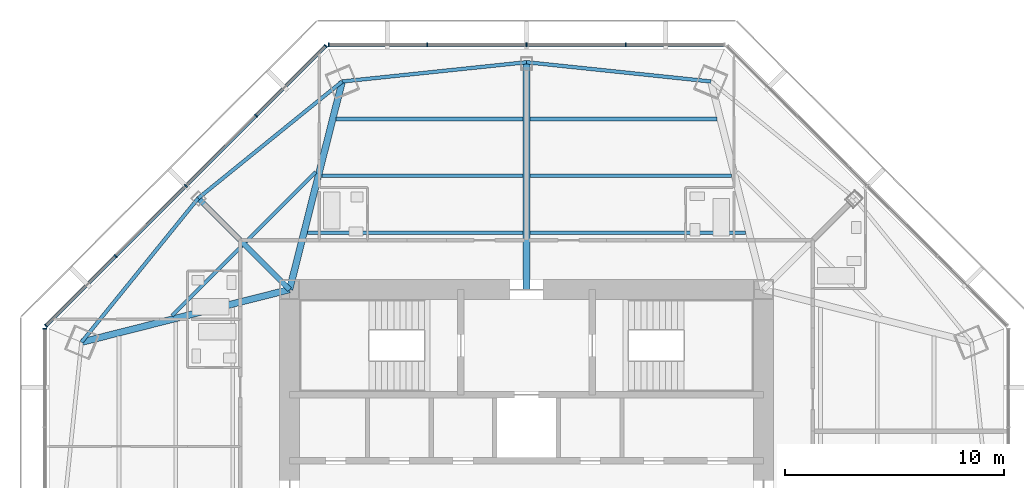
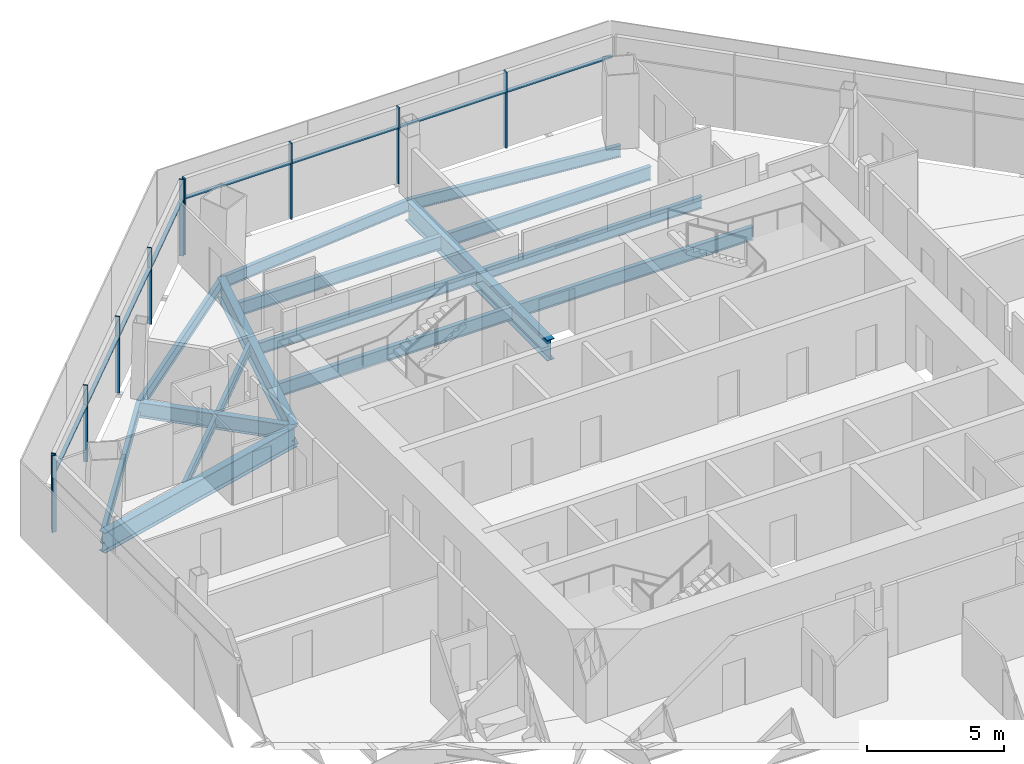
# One storey, part 5 of 15: 18 members, 16 beams, 3 elements without a shape of their own.
"""IFC4 building model written with IfcOpenShell, lengths in metres."""

from ifc_helpers import new_model, si_unit, direction, frame, origin, origin_2d, place, context, subcontext, project, spatial, rectangle, i_section, extrude, source, transform, mapped, material, material_profile, profile_set, type_object, type_shapes, element, aggregate, save


model = new_model("IFC4")

# Units and contexts
model_context = context("Model", 3, precision=1e-05, world=origin(), true_north=direction((0.0, 1.0)))
body_context = subcontext(model_context, "Body", "Model", "MODEL_VIEW")
ifc_project = project(units=[si_unit("LENGTHUNIT", "METRE"), si_unit("AREAUNIT", "SQUARE_METRE"), si_unit("VOLUMEUNIT", "CUBIC_METRE"), si_unit("PLANEANGLEUNIT", "RADIAN"), si_unit("MASSUNIT", "GRAM", prefix="KILO")], contexts=[model_context])

# Site, building, storey
site_placement = place(None, origin())
site = spatial("IfcSite", under=ifc_project, at=site_placement, CompositionType="ELEMENT")
building_placement = place(site_placement, origin())
building = spatial("IfcBuilding", under=site, at=building_placement, Name="Mashrafa Tower", CompositionType="ELEMENT")
storey_placement = place(building_placement, frame((0.0, 0.0, 214.199951171875)))
storey = spatial("IfcBuildingStorey", under=building, at=storey_placement, Name="L49", CompositionType="ELEMENT", Elevation=214.199951171875)

# Beams
ifc_material_1 = material(Name="Steel ASTM A992", Category="steel")
ifc_material_profile_1 = material_profile(ifc_material_1, i_section(OverallWidth=0.15234375, OverallDepth=0.449462890625, WebThickness=0.007568359375, FlangeThickness=0.0107421875, FilletRadius=0.01025390625, at=origin_2d()), Name="W18X35")
ifc_profile_set_1 = profile_set([ifc_material_profile_1], Name="Steel ASTM A992")
beam_type_1 = type_object("IfcBeamType", Name="Beam W18X35", PredefinedType="BEAM", material=ifc_profile_set_1)
for number, where, z_axis, x_axis, name in (
    (1, (-16.162353515625, 9.600830078125, -0.4248046875), (0.707106781187, 0.707106781187, 0.0), (-0.707106781187, 0.707106781187, 0.0), "Floor beam L49 003"),
    (2, (-12.791748046875, 12.971435546875, -0.4248046875), (0.707106781187, 0.707106781187, 0.0), (-0.707106781187, 0.707106781187, 0.0), "Floor beam L49 009"),
):
    element("IfcBeam", number, at=place(storey_placement, frame(where, z_axis=z_axis, x_axis=x_axis)), inside=storey, type_object=beam_type_1, Name=name, PredefinedType="BEAM", context=body_context, shape_type="SweptSolid", body=[
        extrude(i_section(OverallWidth=0.15234375, OverallDepth=0.449462890625, WebThickness=0.007568359375, FlangeThickness=0.0107421875, FilletRadius=0.01025390625, at=origin_2d()), origin(), (0.0, 0.0, 1.0), 4.5126953125),
    ])
ifc_material_2 = material(Name="Steel ASTM A992", Category="steel")
ifc_material_profile_2 = material_profile(ifc_material_2, i_section(OverallWidth=0.1650390625, OverallDepth=0.52587890625, WebThickness=0.0087890625, FlangeThickness=0.011474609375, FilletRadius=0.0126953125, at=origin_2d()), Name="W21X44")
ifc_profile_set_2 = profile_set([ifc_material_profile_2], Name="Steel ASTM A992")
beam_type_2 = type_object("IfcBeamType", Name="Beam W21X44", PredefinedType="BEAM", material=ifc_profile_set_2)
for number, where, z_axis, x_axis, name in (
    (3, (-9.33251953125, 15.98046875, -0.462890625), (1.0, 0.0, 0.0), (0.0, 1.0, 0.0), "Floor beam L49 011"),
    (4, (0.15380859375, 15.98046875, -0.462890625), (1.0, 0.0, 0.0), (0.0, 1.0, 0.0), "Floor beam L49 018"),
):
    element("IfcBeam", number, at=place(storey_placement, frame(where, z_axis=z_axis, x_axis=x_axis)), inside=storey, type_object=beam_type_2, Name=name, PredefinedType="BEAM", context=body_context, shape_type="SweptSolid", body=[
        extrude(i_section(OverallWidth=0.1650390625, OverallDepth=0.52587890625, WebThickness=0.0087890625, FlangeThickness=0.011474609375, FilletRadius=0.0126953125, at=origin_2d()), origin(), (0.0, 0.0, 1.0), 9.1787109375),
    ])
for number, where, z_axis, x_axis, name in (
    (5, (-14.963134765625, 14.963134765625, -0.462890625), (-0.629746814929, -0.776800456415, 0.0), (0.776800456415, -0.629746814929, 0.0), "Spandrel beam L49 053"),
    (6, (-8.4013671875, 20.28271484375, -0.462890625), (-0.776800456415, -0.629746814929, 0.0), (0.629746814929, -0.776800456415, 0.0), "Spandrel beam L49 055"),
):
    element("IfcBeam", number, at=place(storey_placement, frame(where, z_axis=z_axis, x_axis=x_axis)), inside=storey, type_object=beam_type_2, Name=name, PredefinedType="BEAM", context=body_context, shape_type="SweptSolid", body=[
        extrude(i_section(OverallWidth=0.1650390625, OverallDepth=0.52587890625, WebThickness=0.0087890625, FlangeThickness=0.011474609375, FilletRadius=0.0126953125, at=origin_2d()), origin(), (0.0, 0.0, 1.0), 8.447265625),
    ])
for number, where, z_axis, x_axis, name in (
    (7, (0.0, 21.160888671875, -0.462890625), (-0.994581364657, -0.103961094056, 0.0), (0.103961094056, -0.994581364657, 0.0), "Spandrel beam L49 057"),
    (8, (8.4013671875, 20.28271484375, -0.462890625), (-0.994581364657, 0.103961094056, 0.0), (-0.103961094056, -0.994581364657, 0.0), "Spandrel beam L49 059"),
):
    element("IfcBeam", number, at=place(storey_placement, frame(where, z_axis=z_axis, x_axis=x_axis)), inside=storey, type_object=beam_type_2, Name=name, PredefinedType="BEAM", context=body_context, shape_type="SweptSolid", body=[
        extrude(i_section(OverallWidth=0.1650390625, OverallDepth=0.52587890625, WebThickness=0.0087890625, FlangeThickness=0.011474609375, FilletRadius=0.0126953125, at=origin_2d()), origin(), (0.0, 0.0, 1.0), 8.447021484375),
    ])
ifc_material_3 = material(Name="Steel ASTM A992", Category="steel")
ifc_material_profile_3 = material_profile(ifc_material_3, i_section(OverallWidth=0.177978515625, OverallDepth=0.599365234375, WebThickness=0.010009765625, FlangeThickness=0.012939453125, FilletRadius=0.012939453125, at=origin_2d()), Name="W24X55")
ifc_profile_set_3 = profile_set([ifc_material_profile_3], Name="Steel ASTM A992")
beam_type_3 = type_object("IfcBeamType", Name="Beam W24X55", PredefinedType="BEAM", material=ifc_profile_set_3)
beam_1_placement = place(storey_placement, frame((-9.987548828125, 13.390380859375, -0.499755859375), z_axis=(1.0, 0.0, 0.0), x_axis=(0.0, 1.0, 0.0)))
element("IfcBeam", 9, at=beam_1_placement, inside=storey, type_object=beam_type_3, Name="Floor beam L49 010", PredefinedType="BEAM", context=body_context, shape_type="SweptSolid", body=[
    extrude(i_section(OverallWidth=0.177978515625, OverallDepth=0.599365234375, WebThickness=0.010009765625, FlangeThickness=0.012939453125, FilletRadius=0.012939453125, at=origin_2d()), origin(), (0.0, 0.0, 1.0), 9.833740234375),
])
beam_2_placement = place(storey_placement, frame((-8.67724609375, 18.57080078125, -0.499755859375), z_axis=(1.0, 0.0, 0.0), x_axis=(0.0, 1.0, 0.0)))
element("IfcBeam", 10, at=beam_2_placement, inside=storey, type_object=beam_type_3, Name="Floor beam L49 013", PredefinedType="BEAM", context=body_context, shape_type="SweptSolid", body=[
    extrude(i_section(OverallWidth=0.177978515625, OverallDepth=0.599365234375, WebThickness=0.010009765625, FlangeThickness=0.012939453125, FilletRadius=0.012939453125, at=origin_2d()), origin(), (0.0, 0.0, 1.0), 8.5234375),
])
beam_3_placement = place(storey_placement, frame((0.15380859375, 13.390380859375, -0.499755859375), z_axis=(1.0, 0.0, 0.0), x_axis=(0.0, 1.0, 0.0)))
element("IfcBeam", 11, at=beam_3_placement, inside=storey, type_object=beam_type_3, Name="Floor beam L49 017", PredefinedType="BEAM", context=body_context, shape_type="SweptSolid", body=[
    extrude(i_section(OverallWidth=0.177978515625, OverallDepth=0.599365234375, WebThickness=0.010009765625, FlangeThickness=0.012939453125, FilletRadius=0.012939453125, at=origin_2d()), origin(), (0.0, 0.0, 1.0), 9.833740234375),
])
beam_4_placement = place(storey_placement, frame((0.15380859375, 18.57080078125, -0.499755859375), z_axis=(1.0, 0.0, 0.0), x_axis=(0.0, 1.0, 0.0)))
element("IfcBeam", 12, at=beam_4_placement, inside=storey, type_object=beam_type_3, Name="Floor beam L49 019", PredefinedType="BEAM", context=body_context, shape_type="SweptSolid", body=[
    extrude(i_section(OverallWidth=0.177978515625, OverallDepth=0.599365234375, WebThickness=0.010009765625, FlangeThickness=0.012939453125, FilletRadius=0.012939453125, at=origin_2d()), origin(), (0.0, 0.0, 1.0), 8.5234375),
])
ifc_material_4 = material(Name="Steel ASTM A992", Category="steel")
ifc_material_profile_4 = material_profile(ifc_material_4, i_section(OverallWidth=0.25390625, OverallDepth=0.67822265625, WebThickness=0.01171875, FlangeThickness=0.016357421875, FilletRadius=0.01513671875, at=origin_2d()), Name="W27X84")
ifc_profile_set_4 = profile_set([ifc_material_profile_4], Name="Steel ASTM A992")
beam_type_4 = type_object("IfcBeamType", Name="Beam W27X84", PredefinedType="BEAM", material=ifc_profile_set_4)
beam_5_placement = place(storey_placement, frame((-10.800048828125, 10.800048828125, -0.5390625), z_axis=(-0.707106781187, 0.707106781187, 0.0), x_axis=(-0.707106781187, -0.707106781187, 0.0)))
element("IfcBeam", 13, at=beam_5_placement, inside=storey, type_object=beam_type_4, Name="Radial girder L49 038", PredefinedType="BEAM", context=body_context, shape_type="SweptSolid", body=[
    extrude(i_section(OverallWidth=0.25390625, OverallDepth=0.67822265625, WebThickness=0.01171875, FlangeThickness=0.016357421875, FilletRadius=0.01513671875, at=origin_2d()), origin(), (0.0, 0.0, 1.0), 5.887451171875),
])
ifc_material_5 = material(Name="Steel ASTM A992", Category="steel")
ifc_material_profile_5 = material_profile(ifc_material_5, i_section(OverallWidth=0.3046875, OverallDepth=0.911865234375, WebThickness=0.015869140625, FlangeThickness=0.02392578125, FilletRadius=0.01904296875, at=origin_2d()), Name="W36X150")
ifc_profile_set_5 = profile_set([ifc_material_profile_5], Name="Steel ASTM A992")
beam_type_5 = type_object("IfcBeamType", Name="Beam W36X150", PredefinedType="BEAM", material=ifc_profile_set_5)
for number, where, z_axis, x_axis, name in (
    (14, (-10.800048828125, 10.800048828125, -0.65576171875), (-0.969464839554, -0.245230350625, 0.0), (0.245230350625, -0.969464839554, 0.0), "Radial girder L49 037"),
    (15, (-10.800048828125, 10.800048828125, -0.65576171875), (0.245230350625, 0.969464839554, 0.0), (-0.969464839554, 0.245230350625, 0.0), "Radial girder L49 039"),
):
    element("IfcBeam", number, at=place(storey_placement, frame(where, z_axis=z_axis, x_axis=x_axis)), inside=storey, type_object=beam_type_5, Name=name, PredefinedType="BEAM", context=body_context, shape_type="SweptSolid", body=[
        extrude(i_section(OverallWidth=0.3046875, OverallDepth=0.911865234375, WebThickness=0.015869140625, FlangeThickness=0.02392578125, FilletRadius=0.01904296875, at=origin_2d()), origin(), (0.0, 0.0, 1.0), 9.78125),
    ])
ifc_material_6 = material(Name="Steel ASTM A992", Category="steel")
ifc_material_profile_6 = material_profile(ifc_material_6, i_section(OverallWidth=0.307373046875, OverallDepth=0.927001953125, WebThickness=0.01953125, FlangeThickness=0.031982421875, FilletRadius=0.01904296875, at=origin_2d()), Name="W36X194")
ifc_profile_set_6 = profile_set([ifc_material_profile_6], Name="Steel ASTM A992")
beam_type_6 = type_object("IfcBeamType", Name="Beam W36X194", PredefinedType="BEAM", material=ifc_profile_set_6)
beam_6_placement = place(storey_placement, frame((0.0, 10.800048828125, -0.66357421875), z_axis=(0.0, 1.0, 0.0), x_axis=(-1.0, 0.0, 0.0)))
element("IfcBeam", 16, at=beam_6_placement, inside=storey, type_object=beam_type_6, Name="Radial girder L49 041", PredefinedType="BEAM", context=body_context, shape_type="SweptSolid", body=[
    extrude(i_section(OverallWidth=0.307373046875, OverallDepth=0.927001953125, WebThickness=0.01953125, FlangeThickness=0.031982421875, FilletRadius=0.01904296875, at=origin_2d()), origin(), (0.0, 0.0, 1.0), 10.36083984375),
])

# Curtain wall, members
ifc_material_7 = material(Name="Unitised aluminium curtain wall", Category="aluminium")
curtain_wall_type = type_object("IfcCurtainWallType", Name="Apartment curtain wall, zone 3 CW-C 180 deep", PredefinedType="NOTDEFINED", material=ifc_material_7)
curtain_wall_1_placement = place(storey_placement, origin())
curtain_wall_1 = element("IfcCurtainWall", 17, at=curtain_wall_1_placement, inside=storey, type_object=curtain_wall_type, Name="Apartment curtain wall, zone 3 L49 north", PredefinedType="NOTDEFINED")
ifc_material_8 = material(Name="Extruded aluminium mullion", Category="aluminium")
ifc_material_profile_7 = material_profile(ifc_material_8, rectangle(XDim=0.179931640625, YDim=0.06005859375, at=origin_2d()), Name="Mullion 60x180")
ifc_profile_set_7 = profile_set([ifc_material_profile_7], Name="Extruded aluminium mullion")
member_type_1 = type_object("IfcMemberType", Name="Mullion CW-C 60 x 180", PredefinedType="MULLION", material=ifc_profile_set_7)
shared_shape_1 = source(origin(), body_context, "Body", "SweptSolid", [
    extrude(rectangle(XDim=0.179931640625, YDim=0.06005859375, at=origin_2d()), origin(), (0.0, 0.0, 1.0), 3.400146484375),
])
type_shapes(member_type_1, [shared_shape_1])
member_1_placement = place(storey_placement, frame((4.5234375, 21.955322265625, 0.0), z_axis=(0.0, 0.0, 1.0), x_axis=(0.0, -1.0, 0.0)))
member_1 = element("IfcMember", 18, at=member_1_placement, type_object=member_type_1, Name="CW-C mullion 2", PredefinedType="MULLION", context=body_context, shape_type="MappedRepresentation", body=[
    mapped(shared_shape_1, transform((0.0, 0.0, 0.0))),
])
member_2_placement = place(storey_placement, frame((0.0, 21.955322265625, 0.0), z_axis=(0.0, 0.0, 1.0), x_axis=(0.0, -1.0, 0.0)))
member_2 = element("IfcMember", 19, at=member_2_placement, type_object=member_type_1, Name="CW-C mullion 3", PredefinedType="MULLION", context=body_context, shape_type="MappedRepresentation", body=[
    mapped(shared_shape_1, transform((0.0, 0.0, 0.0))),
])
member_3_placement = place(storey_placement, frame((-4.5234375, 21.955322265625, 0.0), z_axis=(0.0, 0.0, 1.0), x_axis=(0.0, -1.0, 0.0)))
member_3 = element("IfcMember", 20, at=member_3_placement, type_object=member_type_1, Name="CW-C mullion 4", PredefinedType="MULLION", context=body_context, shape_type="MappedRepresentation", body=[
    mapped(shared_shape_1, transform((0.0, 0.0, 0.0))),
])
member_4_placement = place(storey_placement, frame((-9.016845703125, 21.955322265625, 0.0), z_axis=(0.0, 0.0, 1.0), x_axis=(0.0, -1.0, 0.0)))
member_4 = element("IfcMember", 21, at=member_4_placement, type_object=member_type_1, Name="CW-C mullion 5", PredefinedType="MULLION", context=body_context, shape_type="MappedRepresentation", body=[
    mapped(shared_shape_1, transform((0.0, 0.0, 0.0))),
])

curtain_wall_2_placement = place(storey_placement, origin())
curtain_wall_2 = element("IfcCurtainWall", 22, at=curtain_wall_2_placement, inside=storey, type_object=curtain_wall_type, Name="Apartment curtain wall, zone 3 L49 north-west", PredefinedType="NOTDEFINED")
member_5_placement = place(storey_placement, frame((-9.14892578125, 21.900634765625, 0.0), z_axis=(0.0, 0.0, 1.0), x_axis=(0.707106781187, -0.707106781187, 0.0)))
member_5 = element("IfcMember", 23, at=member_5_placement, type_object=member_type_1, Name="CW-C mullion 1", PredefinedType="MULLION", context=body_context, shape_type="MappedRepresentation", body=[
    mapped(shared_shape_1, transform((0.0, 0.0, 0.0))),
])
member_6_placement = place(storey_placement, frame((-12.326171875, 18.723388671875, 0.0), z_axis=(0.0, 0.0, 1.0), x_axis=(0.707106781187, -0.707106781187, 0.0)))
member_6 = element("IfcMember", 24, at=member_6_placement, type_object=member_type_1, Name="CW-C mullion 2", PredefinedType="MULLION", context=body_context, shape_type="MappedRepresentation", body=[
    mapped(shared_shape_1, transform((0.0, 0.0, 0.0))),
])
member_7_placement = place(storey_placement, frame((-15.524658203125, 15.524658203125, 0.0), z_axis=(0.0, 0.0, 1.0), x_axis=(0.707106781187, -0.707106781187, 0.0)))
member_7 = element("IfcMember", 25, at=member_7_placement, type_object=member_type_1, Name="CW-C mullion 3", PredefinedType="MULLION", context=body_context, shape_type="MappedRepresentation", body=[
    mapped(shared_shape_1, transform((0.0, 0.0, 0.0))),
])
member_8_placement = place(storey_placement, frame((-18.723388671875, 12.326171875, 0.0), z_axis=(0.0, 0.0, 1.0), x_axis=(0.707106781187, -0.707106781187, 0.0)))
member_8 = element("IfcMember", 26, at=member_8_placement, type_object=member_type_1, Name="CW-C mullion 4", PredefinedType="MULLION", context=body_context, shape_type="MappedRepresentation", body=[
    mapped(shared_shape_1, transform((0.0, 0.0, 0.0))),
])
member_9_placement = place(storey_placement, frame((-21.900634765625, 9.14892578125, 0.0), z_axis=(0.0, 0.0, 1.0), x_axis=(0.707106781187, -0.707106781187, 0.0)))
member_9 = element("IfcMember", 27, at=member_9_placement, type_object=member_type_1, Name="CW-C mullion 5", PredefinedType="MULLION", context=body_context, shape_type="MappedRepresentation", body=[
    mapped(shared_shape_1, transform((0.0, 0.0, 0.0))),
])

# Curtain wall, member
curtain_wall_3_placement = place(storey_placement, origin())
curtain_wall_3 = element("IfcCurtainWall", 28, at=curtain_wall_3_placement, inside=storey, type_object=curtain_wall_type, Name="Apartment curtain wall, zone 3 L49 west", PredefinedType="NOTDEFINED")
member_10_placement = place(storey_placement, frame((-21.955322265625, 9.016845703125, 0.0), z_axis=(0.0, 0.0, 1.0), x_axis=(1.0, 0.0, 0.0)))
member_10 = element("IfcMember", 29, at=member_10_placement, type_object=member_type_1, Name="CW-C mullion 1", PredefinedType="MULLION", context=body_context, shape_type="MappedRepresentation", body=[
    mapped(shared_shape_1, transform((0.0, 0.0, 0.0))),
])
aggregate(curtain_wall_3, [member_10])

# Member
ifc_material_9 = material(Name="Extruded aluminium transom", Category="aluminium")
ifc_material_profile_8 = material_profile(ifc_material_9, rectangle(XDim=0.14404296875, YDim=0.074951171875, at=origin_2d()), Name="Transom 75x144")
ifc_profile_set_8 = profile_set([ifc_material_profile_8], Name="Extruded aluminium transom")
member_type_2 = type_object("IfcMemberType", Name="Transom CW-C 75 x 144", PredefinedType="MULLION", material=ifc_profile_set_8)
shared_shape_2 = source(origin(), body_context, "Body", "SweptSolid", [
    extrude(rectangle(XDim=0.14404296875, YDim=0.074951171875, at=origin_2d()), origin(), (0.0, 0.0, 1.0), 4.433349609375),
])
member_11_placement = place(storey_placement, frame((8.98681640625, 21.955322265625, 2.5), z_axis=(-1.0, 0.0, 0.0), x_axis=(0.0, -1.0, 0.0)))
member_11 = element("IfcMember", 30, at=member_11_placement, type_object=member_type_2, Name="CW-C transom 1", PredefinedType="MULLION", context=body_context, shape_type="MappedRepresentation", body=[
    mapped(shared_shape_2, transform((0.0, 0.0, 0.0))),
])

member_12_placement = place(storey_placement, frame((-4.553466796875, 21.955322265625, 2.5), z_axis=(-1.0, 0.0, 0.0), x_axis=(0.0, -1.0, 0.0)))
member_12 = element("IfcMember", 31, at=member_12_placement, type_object=member_type_2, Name="CW-C transom 4", PredefinedType="MULLION", context=body_context, shape_type="MappedRepresentation", body=[
    mapped(shared_shape_2, transform((0.0, 0.0, 0.0))),
])

member_13_placement = place(storey_placement, frame((-9.169921875, 21.87939453125, 2.5), z_axis=(-0.707134314889, -0.707079246412, 0.0), x_axis=(0.707079246412, -0.707134314889, 0.0)))
member_13 = element("IfcMember", 32, at=member_13_placement, type_object=member_type_2, Name="CW-C transom 1", PredefinedType="MULLION", context=body_context, shape_type="MappedRepresentation", body=[
    mapped(shared_shape_2, transform((0.0, 0.0, 0.0))),
])

member_14_placement = place(storey_placement, frame((-18.74462890625, 12.304931640625, 2.5), z_axis=(-0.707079246412, -0.707134314889, 0.0), x_axis=(0.707134314889, -0.707079246412, 0.0)))
member_14 = element("IfcMember", 33, at=member_14_placement, type_object=member_type_2, Name="CW-C transom 4", PredefinedType="MULLION", context=body_context, shape_type="MappedRepresentation", body=[
    mapped(shared_shape_2, transform((0.0, 0.0, 0.0))),
])

shared_shape_3 = source(origin(), body_context, "Body", "SweptSolid", [
    extrude(rectangle(XDim=0.14404296875, YDim=0.074951171875, at=origin_2d()), origin(), (0.0, 0.0, 1.0), 4.46337890625),
])
type_shapes(member_type_2, [shared_shape_2, shared_shape_3])
member_15_placement = place(storey_placement, frame((4.493408203125, 21.955322265625, 2.5), z_axis=(-1.0, 0.0, 0.0), x_axis=(0.0, -1.0, 0.0)))
member_15 = element("IfcMember", 34, at=member_15_placement, type_object=member_type_2, Name="CW-C transom 2", PredefinedType="MULLION", context=body_context, shape_type="MappedRepresentation", body=[
    mapped(shared_shape_3, transform((0.0, 0.0, 0.0))),
])

member_16_placement = place(storey_placement, frame((-0.030029296875, 21.955322265625, 2.5), z_axis=(-1.0, 0.0, 0.0), x_axis=(0.0, -1.0, 0.0)))
member_16 = element("IfcMember", 35, at=member_16_placement, type_object=member_type_2, Name="CW-C transom 3", PredefinedType="MULLION", context=body_context, shape_type="MappedRepresentation", body=[
    mapped(shared_shape_3, transform((0.0, 0.0, 0.0))),
])

aggregate(curtain_wall_1, [member_1, member_2, member_3, member_4, member_11, member_15, member_16, member_12])

member_17_placement = place(storey_placement, frame((-12.347412109375, 18.7021484375, 2.5), z_axis=(-0.70707943172, -0.707134129595, 0.0), x_axis=(0.707134129595, -0.70707943172, 0.0)))
member_17 = element("IfcMember", 36, at=member_17_placement, type_object=member_type_2, Name="CW-C transom 2", PredefinedType="MULLION", context=body_context, shape_type="MappedRepresentation", body=[
    mapped(shared_shape_3, transform((0.0, 0.0, 0.0))),
])

member_18_placement = place(storey_placement, frame((-15.5458984375, 15.50341796875, 2.5), z_axis=(-0.707134129595, -0.70707943172, 0.0), x_axis=(0.70707943172, -0.707134129595, 0.0)))
member_18 = element("IfcMember", 37, at=member_18_placement, type_object=member_type_2, Name="CW-C transom 3", PredefinedType="MULLION", context=body_context, shape_type="MappedRepresentation", body=[
    mapped(shared_shape_3, transform((0.0, 0.0, 0.0))),
])

aggregate(curtain_wall_2, [member_5, member_6, member_7, member_8, member_9, member_13, member_17, member_18, member_14])

save(model, "model.ifc")
